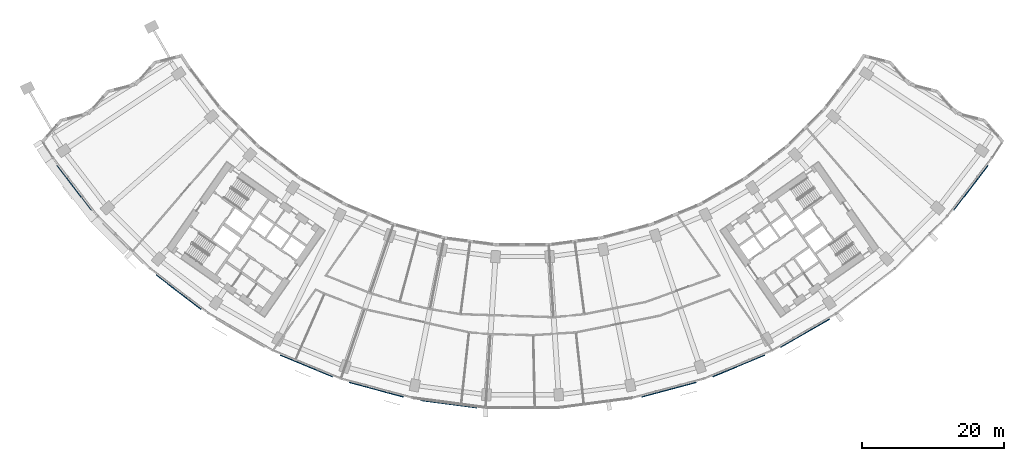
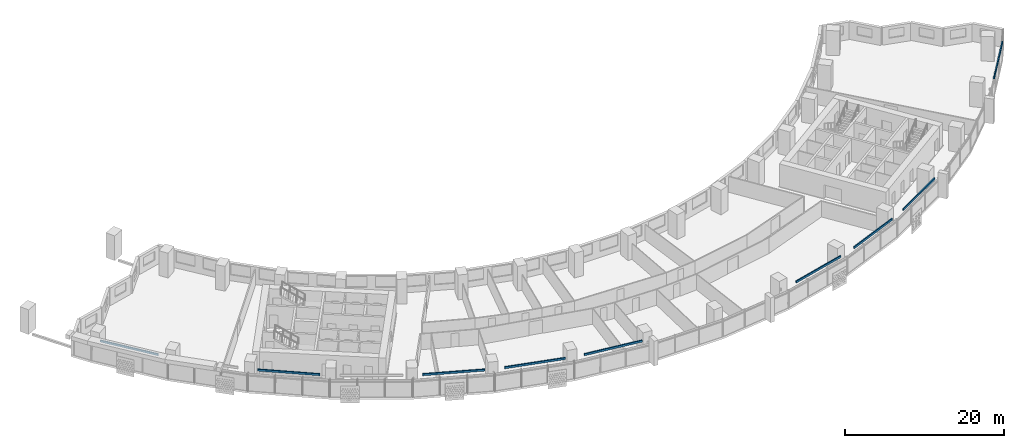
# One storey, part 9 of 30: 9 discrete accessories.
"""IFC4 building model written with IfcOpenShell, lengths in metres."""

import ifcopenshell
import ifcopenshell.guid

model = None  # the IFC model being written
_history = None  # IfcOwnerHistory: only IFC2X3 demands one
_inside = {}  # id of a spatial element -> (the spatial element, [elements in it])
_under = {}  # id of a project, library or spatial element -> (it, [spatial elements below it])
_declared = {}  # id of a project -> (the project, [libraries it declares])
_typed = {}  # id of a type object -> (the type object, [elements of that type])
_made_of = {}  # id of a material, layer set ... -> (it, [elements and type objects made of it])


def new_model(schema):
    """Start an empty IFC model of exactly this schema.

    Asked for "IFC4X3", IfcOpenShell would pick the latest addendum, in which some entities
    have other attributes; the version numbers below select the first issue.
    IFC2X3 requires an IfcOwnerHistory on every rooted entity: one is made here for all.
    """
    global model, _history
    if schema == "IFC4X3":
        model = ifcopenshell.file(schema_version=(4, 3, 0, 0))
    else:
        model = ifcopenshell.file(schema=schema)
    _inside.clear()
    _under.clear()
    _declared.clear()
    _typed.clear()
    _made_of.clear()
    _history = None
    if model.schema == "IFC2X3":
        org = make("IfcOrganization", Name="unknown")
        user = make(
            "IfcPersonAndOrganization",
            ThePerson=make("IfcPerson", FamilyName="unknown"),
            TheOrganization=org,
        )
        app = make(
            "IfcApplication",
            ApplicationDeveloper=org,
            Version="unknown",
            ApplicationFullName="unknown",
            ApplicationIdentifier="unknown",
        )
        _history = make(
            "IfcOwnerHistory",
            OwningUser=user,
            OwningApplication=app,
            ChangeAction="ADDED",
            CreationDate=0,
        )
    return model


def make(cls, **values):
    """One entity of the class cls with the attributes given. An attribute that is None is left unset."""
    return model.create_entity(
        cls, **{name: value for name, value in values.items() if value is not None}
    )


def rooted(cls, **values):
    """An entity with a GlobalId (a new one), such as an element, a storey or a relation."""
    return make(cls, GlobalId=ifcopenshell.guid.new(), OwnerHistory=_history, **values)


def si_unit(unit_type, name, prefix=None):
    """IfcSIUnit, for example si_unit("LENGTHUNIT", "METRE", prefix="MILLI")."""
    return make("IfcSIUnit", UnitType=unit_type, Prefix=prefix, Name=name)


def assignment(units):
    """IfcUnitAssignment: the units of a project."""
    return None if units is None else make("IfcUnitAssignment", Units=units)


def point(xyz):
    """IfcCartesianPoint."""
    return None if xyz is None else make("IfcCartesianPoint", Coordinates=xyz)


def direction(xyz):
    """IfcDirection."""
    return None if xyz is None else make("IfcDirection", DirectionRatios=xyz)


def frame(location, z_axis=None, x_axis=None):
    """IfcAxis2Placement3D, a coordinate frame: its origin and axes. An axis left out is left unset."""
    return make(
        "IfcAxis2Placement3D",
        Location=point(location),
        Axis=direction(z_axis),
        RefDirection=direction(x_axis),
    )


def frame_2d(location, x_axis=None):
    """IfcAxis2Placement2D, a coordinate frame in the plane: its origin and x axis."""
    return make(
        "IfcAxis2Placement2D", Location=point(location), RefDirection=direction(x_axis)
    )


def origin():
    """The frame at (0, 0, 0) with its axes left unset."""
    return frame((0.0, 0.0, 0.0))


def origin_2d():
    """The frame at (0, 0) in the plane with its x axis left unset."""
    return frame_2d((0.0, 0.0))


def place(relative_to, where):
    """IfcLocalPlacement: puts the frame where relative to a parent placement (None: the world)."""
    return make(
        "IfcLocalPlacement", PlacementRelTo=relative_to, RelativePlacement=where
    )


def context(
    kind, dimensions, precision=None, world=None, true_north=None, identifier=None
):
    """IfcGeometricRepresentationContext, for example the 3D "Model" context."""
    return make(
        "IfcGeometricRepresentationContext",
        ContextIdentifier=identifier,
        ContextType=kind,
        CoordinateSpaceDimension=dimensions,
        Precision=precision,
        WorldCoordinateSystem=world,
        TrueNorth=true_north,
    )


def subcontext(parent, identifier, kind, view, scale=None):
    """IfcGeometricRepresentationSubContext, for example "Body" below "Model"."""
    return make(
        "IfcGeometricRepresentationSubContext",
        ContextIdentifier=identifier,
        ContextType=kind,
        ParentContext=parent,
        TargetScale=scale,
        TargetView=view,
    )


def project(units=None, contexts=None):
    """IfcProject with its units and contexts."""
    return rooted(
        "IfcProject",
        Name="project",
        RepresentationContexts=contexts,
        UnitsInContext=assignment(units),
    )


def spatial(cls, under=None, at=None, **own):
    """A site, building, storey or space (cls), placed at a placement, below another one or the project."""
    s = rooted(cls, ObjectPlacement=at, **own)
    if under is not None:
        _under.setdefault(under.id(), (under, []))[1].append(s)
    return s


def profile(cls, at=None, kind="AREA", **sizes):
    """A parametric profile (cls). Its sizes go by their IFC names, for example OverallWidth=200.0."""
    return make(cls, ProfileType=kind, Position=at, **sizes)


def rectangle(**sizes):
    """IfcRectangleProfileDef."""
    return profile("IfcRectangleProfileDef", **sizes)


def extrude(swept, where, along, depth):
    """IfcExtrudedAreaSolid: the profile swept, set in the frame where, extruded along a direction by depth."""
    return make(
        "IfcExtrudedAreaSolid",
        SweptArea=swept,
        Position=where,
        ExtrudedDirection=direction(along),
        Depth=depth,
    )


def shape(context_of_items, identifier, shape_type, items):
    """IfcShapeRepresentation: the items that make up one representation, for example the "Body"."""
    return make(
        "IfcShapeRepresentation",
        ContextOfItems=context_of_items,
        RepresentationIdentifier=identifier,
        RepresentationType=shape_type,
        Items=items,
    )


def material(Name=None, Category=None):
    """IfcMaterial."""
    return make("IfcMaterial", Name=Name, Category=Category)


def made_of(thing, what):
    """Note that an element or type object is made of a material, layer set ...; save() writes the relation."""
    if what is not None:
        _made_of.setdefault(what.id(), (what, []))[1].append(thing)
    return thing


def type_object(cls, material=None, **own):
    """A type object (cls), such as IfcWallType, which elements share."""
    return made_of(rooted(cls, **own), material)


def element(
    cls,
    number,
    at=None,
    inside=None,
    cuts=None,
    type_object=None,
    material=None,
    context=None,
    identifier="Body",
    shape_type=None,
    held_by="IfcProductDefinitionShape",
    body=None,
    shapes=None,
    **own,
):
    """One element of the class cls, such as IfcWall. Its Tag is "e" and its number.

    at: its placement. inside: the storey or other place that contains it. cuts: it is an
    opening in that element (IfcRelVoidsElement). A single representation is given by context,
    identifier, shape_type and body (its items); several are given by shapes. held_by: the class
    of the entity that holds the representations. save() writes the other relations.
    """
    e = rooted(cls, Tag="e%d" % number, ObjectPlacement=at, **own)
    if body is not None:
        shapes = [shape(context, identifier, shape_type, body)]
    if shapes is not None:
        e.Representation = make(held_by, Representations=shapes)
    if inside is not None:
        _inside.setdefault(inside.id(), (inside, []))[1].append(e)
    if cuts is not None:
        rooted(
            "IfcRelVoidsElement", RelatingBuildingElement=cuts, RelatedOpeningElement=e
        )
    if type_object is not None:
        _typed.setdefault(type_object.id(), (type_object, []))[1].append(e)
    return made_of(e, material)


def aggregate(whole, parts):
    """IfcRelAggregates: a whole, such as a stair, and the parts it consists of."""
    return rooted("IfcRelAggregates", RelatingObject=whole, RelatedObjects=parts)


def save(model, path):
    """Write the relations noted so far, then the file.

    IfcRelAggregates (storeys below a building ...), IfcRelContainedInSpatialStructure (elements
    in a storey), IfcRelDefinesByType, IfcRelAssociatesMaterial and IfcRelDeclares: one each for
    every whole, place, type object, material and project.
    """
    for whole, parts in _under.values():
        aggregate(whole, parts)
    for where, things in _inside.values():
        rooted(
            "IfcRelContainedInSpatialStructure",
            RelatedElements=things,
            RelatingStructure=where,
        )
    for kind, things in _typed.values():
        rooted("IfcRelDefinesByType", RelatedObjects=things, RelatingType=kind)
    for what, things in _made_of.values():
        rooted("IfcRelAssociatesMaterial", RelatedObjects=things, RelatingMaterial=what)
    for by, libraries in _declared.values():
        rooted("IfcRelDeclares", RelatingContext=by, RelatedDefinitions=libraries)
    model.write(path)


model = new_model("IFC4")

# Units and contexts
model_context = context("Model", 3, precision=1e-05, world=origin(), true_north=direction((0.0, 1.0)))
body_context = subcontext(model_context, "Body", "Model", "MODEL_VIEW")
ifc_project = project(units=[si_unit("LENGTHUNIT", "METRE"), si_unit("AREAUNIT", "SQUARE_METRE"), si_unit("VOLUMEUNIT", "CUBIC_METRE"), si_unit("PLANEANGLEUNIT", "RADIAN"), si_unit("MASSUNIT", "GRAM", prefix="KILO")], contexts=[model_context])

# Site, building, storey
site_placement = place(None, origin())
site = spatial("IfcSite", under=ifc_project, at=site_placement, CompositionType="ELEMENT")
building_placement = place(site_placement, origin())
building = spatial("IfcBuilding", under=site, at=building_placement, Name="Qamariyya Broadcast Tower", CompositionType="ELEMENT")
storey_placement = place(building_placement, frame((0.0, 0.0, 67.10009765625)))
storey = spatial("IfcBuildingStorey", under=building, at=storey_placement, Name="L13", CompositionType="ELEMENT", Elevation=67.10009765625)

# Discrete accessories
ifc_material = material(Name="Stainless steel 316", Category="steel")
discrete_accessory_type = type_object("IfcDiscreteAccessoryType", Name="Slab edge fixing angle, stainless steel", PredefinedType="BRACKET", material=ifc_material)
for number, where, z_axis, x_axis, name in (
    (1, (-63.11474609375, -48.4296875, 3.2998046875), (0.0, 0.0, 1.0), (0.608761429009, -0.793353340291, 0.0), "e-br-L13-01-0"),
    (2, (-48.4296875, -63.11474609375, 3.2998046875), (0.0, 0.0, 1.0), (0.793353340291, -0.608761429009, 0.0), "e-br-L13-03-0"),
    (3, (-30.444091796875, -73.498779296875, 3.2998046875), (0.0, 0.0, 1.0), (0.923879532511, -0.382683432365, 0.0), "e-br-L13-05-0"),
    (4, (-20.59033203125, -76.84375, 3.2998046875), (0.0, 0.0, 1.0), (0.965925826289, -0.258819045103, 0.0), "e-br-L13-06-0"),
    (5, (-10.384033203125, -78.873779296875, 3.2998046875), (0.0, 0.0, 1.0), (0.991444861374, -0.13052619222, 0.0), "e-br-L13-07-0"),
    (6, (20.59033203125, -76.84375, 3.2998046875), (0.0, 0.0, 1.0), (0.965925826289, 0.258819045103, 0.0), "e-br-L13-10-0"),
    (7, (30.444091796875, -73.498779296875, 3.2998046875), (0.0, 0.0, 1.0), (0.923879532511, 0.382683432365, 0.0), "e-br-L13-11-0"),
    (8, (39.77734375, -68.896240234375, 3.2998046875), (0.0, 0.0, 1.0), (0.866025403784, 0.5, 0.0), "e-br-L13-12-0"),
    (9, (63.11474609375, -48.4296875, 3.2998046875), (0.0, 0.0, 1.0), (0.608761429009, 0.793353340291, 0.0), "e-br-L13-15-0"),
):
    element("IfcDiscreteAccessory", number, at=place(storey_placement, frame(where, z_axis=z_axis, x_axis=x_axis)), inside=storey, type_object=discrete_accessory_type, Name=name, PredefinedType="BRACKET", context=body_context, shape_type="SweptSolid", body=[
        extrude(rectangle(XDim=7.9140625, YDim=0.14990234375, at=origin_2d()), origin(), (0.0, 0.0, 1.0), 0.300048828125),
    ])

save(model, "model.ifc")
